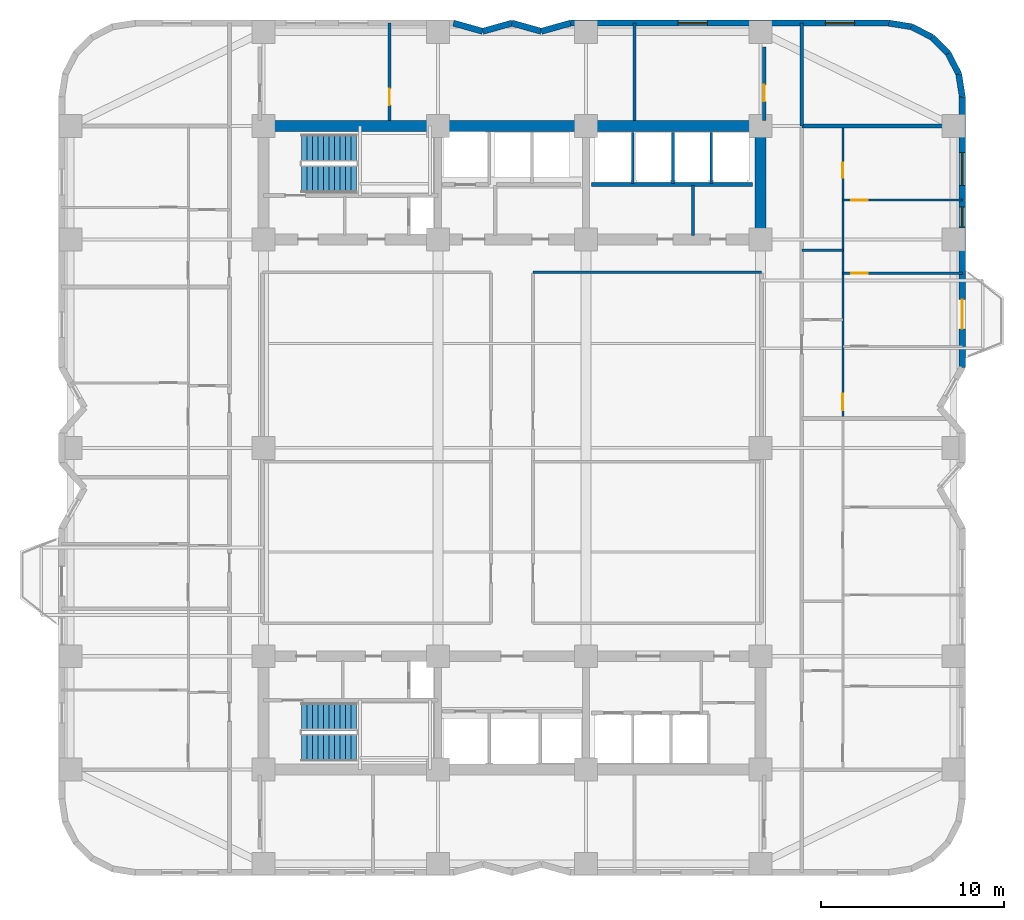
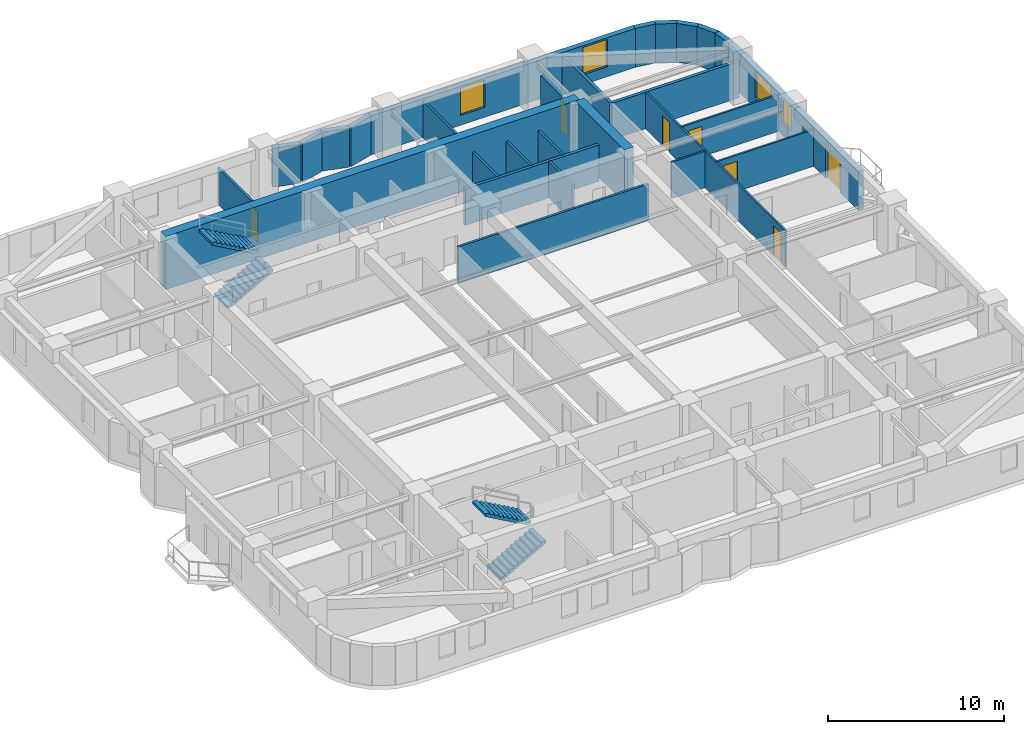
# One storey, part 7 of 9: 28 walls, 7 doors, 4 stair flights, 4 windows, 11 openings, 2 elements without a shape of their own.
"""IFC4 building model written with IfcOpenShell, lengths in metres."""

import ifcopenshell
import ifcopenshell.guid

model = None  # the IFC model being written
_history = None  # IfcOwnerHistory: only IFC2X3 demands one
_inside = {}  # id of a spatial element -> (the spatial element, [elements in it])
_under = {}  # id of a project, library or spatial element -> (it, [spatial elements below it])
_declared = {}  # id of a project -> (the project, [libraries it declares])
_typed = {}  # id of a type object -> (the type object, [elements of that type])
_made_of = {}  # id of a material, layer set ... -> (it, [elements and type objects made of it])


def new_model(schema):
    """Start an empty IFC model of exactly this schema.

    Asked for "IFC4X3", IfcOpenShell would pick the latest addendum, in which some entities
    have other attributes; the version numbers below select the first issue.
    IFC2X3 requires an IfcOwnerHistory on every rooted entity: one is made here for all.
    """
    global model, _history
    if schema == "IFC4X3":
        model = ifcopenshell.file(schema_version=(4, 3, 0, 0))
    else:
        model = ifcopenshell.file(schema=schema)
    _inside.clear()
    _under.clear()
    _declared.clear()
    _typed.clear()
    _made_of.clear()
    _history = None
    if model.schema == "IFC2X3":
        org = make("IfcOrganization", Name="unknown")
        user = make(
            "IfcPersonAndOrganization",
            ThePerson=make("IfcPerson", FamilyName="unknown"),
            TheOrganization=org,
        )
        app = make(
            "IfcApplication",
            ApplicationDeveloper=org,
            Version="unknown",
            ApplicationFullName="unknown",
            ApplicationIdentifier="unknown",
        )
        _history = make(
            "IfcOwnerHistory",
            OwningUser=user,
            OwningApplication=app,
            ChangeAction="ADDED",
            CreationDate=0,
        )
    return model


def make(cls, **values):
    """One entity of the class cls with the attributes given. An attribute that is None is left unset."""
    return model.create_entity(
        cls, **{name: value for name, value in values.items() if value is not None}
    )


def rooted(cls, **values):
    """An entity with a GlobalId (a new one), such as an element, a storey or a relation."""
    return make(cls, GlobalId=ifcopenshell.guid.new(), OwnerHistory=_history, **values)


def si_unit(unit_type, name, prefix=None):
    """IfcSIUnit, for example si_unit("LENGTHUNIT", "METRE", prefix="MILLI")."""
    return make("IfcSIUnit", UnitType=unit_type, Prefix=prefix, Name=name)


def assignment(units):
    """IfcUnitAssignment: the units of a project."""
    return None if units is None else make("IfcUnitAssignment", Units=units)


def point(xyz):
    """IfcCartesianPoint."""
    return None if xyz is None else make("IfcCartesianPoint", Coordinates=xyz)


def direction(xyz):
    """IfcDirection."""
    return None if xyz is None else make("IfcDirection", DirectionRatios=xyz)


def frame(location, z_axis=None, x_axis=None):
    """IfcAxis2Placement3D, a coordinate frame: its origin and axes. An axis left out is left unset."""
    return make(
        "IfcAxis2Placement3D",
        Location=point(location),
        Axis=direction(z_axis),
        RefDirection=direction(x_axis),
    )


def frame_2d(location, x_axis=None):
    """IfcAxis2Placement2D, a coordinate frame in the plane: its origin and x axis."""
    return make(
        "IfcAxis2Placement2D", Location=point(location), RefDirection=direction(x_axis)
    )


def origin():
    """The frame at (0, 0, 0) with its axes left unset."""
    return frame((0.0, 0.0, 0.0))


def place(relative_to, where):
    """IfcLocalPlacement: puts the frame where relative to a parent placement (None: the world)."""
    return make(
        "IfcLocalPlacement", PlacementRelTo=relative_to, RelativePlacement=where
    )


def context(
    kind, dimensions, precision=None, world=None, true_north=None, identifier=None
):
    """IfcGeometricRepresentationContext, for example the 3D "Model" context."""
    return make(
        "IfcGeometricRepresentationContext",
        ContextIdentifier=identifier,
        ContextType=kind,
        CoordinateSpaceDimension=dimensions,
        Precision=precision,
        WorldCoordinateSystem=world,
        TrueNorth=true_north,
    )


def subcontext(parent, identifier, kind, view, scale=None):
    """IfcGeometricRepresentationSubContext, for example "Body" below "Model"."""
    return make(
        "IfcGeometricRepresentationSubContext",
        ContextIdentifier=identifier,
        ContextType=kind,
        ParentContext=parent,
        TargetScale=scale,
        TargetView=view,
    )


def project(units=None, contexts=None):
    """IfcProject with its units and contexts."""
    return rooted(
        "IfcProject",
        Name="project",
        RepresentationContexts=contexts,
        UnitsInContext=assignment(units),
    )


def spatial(cls, under=None, at=None, **own):
    """A site, building, storey or space (cls), placed at a placement, below another one or the project."""
    s = rooted(cls, ObjectPlacement=at, **own)
    if under is not None:
        _under.setdefault(under.id(), (under, []))[1].append(s)
    return s


def polyline(points):
    """IfcPolyline through the points."""
    return make("IfcPolyline", Points=[point(p) for p in points])


def profile(cls, at=None, kind="AREA", **sizes):
    """A parametric profile (cls). Its sizes go by their IFC names, for example OverallWidth=200.0."""
    return make(cls, ProfileType=kind, Position=at, **sizes)


def rectangle(**sizes):
    """IfcRectangleProfileDef."""
    return profile("IfcRectangleProfileDef", **sizes)


def outline(outer, holes=None, kind="AREA"):
    """IfcArbitraryClosedProfileDef: a profile drawn as a closed curve; with holes, ...WithVoids."""
    if holes is None:
        return make("IfcArbitraryClosedProfileDef", ProfileType=kind, OuterCurve=outer)
    return make(
        "IfcArbitraryProfileDefWithVoids",
        ProfileType=kind,
        OuterCurve=outer,
        InnerCurves=holes,
    )


def extrude(swept, where, along, depth):
    """IfcExtrudedAreaSolid: the profile swept, set in the frame where, extruded along a direction by depth."""
    return make(
        "IfcExtrudedAreaSolid",
        SweptArea=swept,
        Position=where,
        ExtrudedDirection=direction(along),
        Depth=depth,
    )


def shape(context_of_items, identifier, shape_type, items):
    """IfcShapeRepresentation: the items that make up one representation, for example the "Body"."""
    return make(
        "IfcShapeRepresentation",
        ContextOfItems=context_of_items,
        RepresentationIdentifier=identifier,
        RepresentationType=shape_type,
        Items=items,
    )


def material(Name=None, Category=None):
    """IfcMaterial."""
    return make("IfcMaterial", Name=Name, Category=Category)


def layer(
    of_material, thickness, ventilated=None, Name=None, Category=None, Priority=None
):
    """IfcMaterialLayer: one layer of a wall or slab, of a material (None: an air gap)."""
    return make(
        "IfcMaterialLayer",
        Material=of_material,
        LayerThickness=thickness,
        IsVentilated=ventilated,
        Name=Name,
        Category=Category,
        Priority=Priority,
    )


def layer_set(layers, Name=None):
    """IfcMaterialLayerSet."""
    return make("IfcMaterialLayerSet", MaterialLayers=layers, LayerSetName=Name)


def made_of(thing, what):
    """Note that an element or type object is made of a material, layer set ...; save() writes the relation."""
    if what is not None:
        _made_of.setdefault(what.id(), (what, []))[1].append(thing)
    return thing


def type_object(cls, material=None, **own):
    """A type object (cls), such as IfcWallType, which elements share."""
    return made_of(rooted(cls, **own), material)


def element(
    cls,
    number,
    at=None,
    inside=None,
    cuts=None,
    type_object=None,
    material=None,
    context=None,
    identifier="Body",
    shape_type=None,
    held_by="IfcProductDefinitionShape",
    body=None,
    shapes=None,
    **own,
):
    """One element of the class cls, such as IfcWall. Its Tag is "e" and its number.

    at: its placement. inside: the storey or other place that contains it. cuts: it is an
    opening in that element (IfcRelVoidsElement). A single representation is given by context,
    identifier, shape_type and body (its items); several are given by shapes. held_by: the class
    of the entity that holds the representations. save() writes the other relations.
    """
    e = rooted(cls, Tag="e%d" % number, ObjectPlacement=at, **own)
    if body is not None:
        shapes = [shape(context, identifier, shape_type, body)]
    if shapes is not None:
        e.Representation = make(held_by, Representations=shapes)
    if inside is not None:
        _inside.setdefault(inside.id(), (inside, []))[1].append(e)
    if cuts is not None:
        rooted(
            "IfcRelVoidsElement", RelatingBuildingElement=cuts, RelatedOpeningElement=e
        )
    if type_object is not None:
        _typed.setdefault(type_object.id(), (type_object, []))[1].append(e)
    return made_of(e, material)


def fill(opening, filler):
    """IfcRelFillsElement: the door or window that sits in an opening."""
    return rooted(
        "IfcRelFillsElement",
        RelatingOpeningElement=opening,
        RelatedBuildingElement=filler,
    )


def aggregate(whole, parts):
    """IfcRelAggregates: a whole, such as a stair, and the parts it consists of."""
    return rooted("IfcRelAggregates", RelatingObject=whole, RelatedObjects=parts)


def save(model, path):
    """Write the relations noted so far, then the file.

    IfcRelAggregates (storeys below a building ...), IfcRelContainedInSpatialStructure (elements
    in a storey), IfcRelDefinesByType, IfcRelAssociatesMaterial and IfcRelDeclares: one each for
    every whole, place, type object, material and project.
    """
    for whole, parts in _under.values():
        aggregate(whole, parts)
    for where, things in _inside.values():
        rooted(
            "IfcRelContainedInSpatialStructure",
            RelatedElements=things,
            RelatingStructure=where,
        )
    for kind, things in _typed.values():
        rooted("IfcRelDefinesByType", RelatedObjects=things, RelatingType=kind)
    for what, things in _made_of.values():
        rooted("IfcRelAssociatesMaterial", RelatedObjects=things, RelatingMaterial=what)
    for by, libraries in _declared.values():
        rooted("IfcRelDeclares", RelatingContext=by, RelatedDefinitions=libraries)
    model.write(path)


model = new_model("IFC4")

# Units and contexts
model_context = context("Model", 3, precision=1e-05, world=origin(), true_north=direction((0.0, 1.0)))
body_context = subcontext(model_context, "Body", "Model", "MODEL_VIEW")
ifc_project = project(units=[si_unit("LENGTHUNIT", "METRE"), si_unit("AREAUNIT", "SQUARE_METRE"), si_unit("VOLUMEUNIT", "CUBIC_METRE"), si_unit("PLANEANGLEUNIT", "RADIAN"), si_unit("MASSUNIT", "GRAM", prefix="KILO")], contexts=[model_context])

# Site, building, storey
site_placement = place(None, origin())
site = spatial("IfcSite", under=ifc_project, at=site_placement, CompositionType="ELEMENT")
building_placement = place(site_placement, origin())
building = spatial("IfcBuilding", under=site, at=building_placement, Name="Svetorya Sky Lyceum", CompositionType="ELEMENT")
storey_placement = place(building_placement, frame((0.0, 0.0, 54.699951171875)))
storey = spatial("IfcBuildingStorey", under=building, at=storey_placement, Name="L13", CompositionType="ELEMENT", Elevation=54.699951171875)

# Walls
ifc_material_1 = material(Name="Concrete C60/75", Category="concrete")
ifc_layer_1 = layer(ifc_material_1, 0.60009765625)
ifc_layer_set_1 = layer_set([ifc_layer_1], Name="Concrete C60/75")
wall_type_1 = type_object("IfcWallType", Name="WL-CORE-600", PredefinedType="SHEAR", material=ifc_layer_set_1)
wall_1_placement = place(storey_placement, frame((25.60009765625, 45.800048828125, 0.0), z_axis=(0.0, 0.0, 1.0), x_axis=(1.0, 0.0, 0.0)))
element("IfcWall", 1, at=wall_1_placement, inside=storey, type_object=wall_type_1, Name="L13 NC Outer Core Shear Wall", PredefinedType="SHEAR", context=body_context, shape_type="SweptSolid", body=[
    extrude(rectangle(XDim=27.199951171875, YDim=0.60009765625, at=frame_2d((13.60009765625, 0.0))), origin(), (0.0, 0.0, 1.0), 3.699951171875),
])
wall_2_placement = place(storey_placement, frame((52.800048828125, 39.89990234375, 0.0), z_axis=(0.0, 0.0, 1.0), x_axis=(0.0, 1.0, 0.0)))
element("IfcWall", 2, at=wall_2_placement, inside=storey, type_object=wall_type_1, Name="L13 NC East Core Shear Wall", PredefinedType="SHEAR", context=body_context, shape_type="SweptSolid", body=[
    extrude(rectangle(XDim=5.60009765625, YDim=0.60009765625, at=frame_2d((2.800048828125, 0.0))), origin(), (0.0, 0.0, 1.0), 3.699951171875),
])

# Wall, openings, door, windows
ifc_material_2 = material(Name="Putilovo limestone rainscreen on autoclaved cellular masonry", Category="masonry")
ifc_layer_2 = layer(ifc_material_2, 0.340087890625)
ifc_layer_set_2 = layer_set([ifc_layer_2], Name="Putilovo limestone rainscreen on autoclaved cellular masonry")
wall_type_2 = type_object("IfcWallType", Name="WL-EXT-340", PredefinedType="SOLIDWALL", material=ifc_layer_set_2)
wall_3_placement = place(storey_placement, frame((63.830078125, 32.60009765625, 0.0), z_axis=(0.0, 0.0, 1.0), x_axis=(0.0, 1.0, 0.0)))
wall_3 = element("IfcWall", 3, at=wall_3_placement, inside=storey, type_object=wall_type_2, Name="L13 Limestone Exterior Wall 23M", PredefinedType="SOLIDWALL", context=body_context, shape_type="SweptSolid", body=[
    extrude(rectangle(XDim=14.7998046875, YDim=0.340087890625, at=frame_2d((7.39990234375, 0.0))), origin(), (0.0, 0.0, 1.0), 2.699951171875),
])
opening_1_placement = place(wall_3_placement, frame((2.10009765625, 0.0, 0.0)))
opening_1 = element("IfcOpeningElement", 4, at=opening_1_placement, cuts=wall_3, Name="Opening D-BL1", PredefinedType="OPENING", context=body_context, shape_type="SweptSolid", body=[
    extrude(rectangle(XDim=1.60009765625, YDim=2.10009765625, at=frame_2d((0.800048828125, 1.050048828125))), frame((0.0, 0.179931640625, 0.0), z_axis=(0.0, -1.0, 0.0), x_axis=(1.0, 0.0, 0.0)), (0.0, 0.0, 1.0), 0.360107421875),
])
opening_2_placement = place(wall_3_placement, frame((7.679931640625, 0.0, 0.889892578125)))
opening_2 = element("IfcOpeningElement", 5, at=opening_2_placement, cuts=wall_3, Name="Opening W-R3", PredefinedType="OPENING", context=body_context, shape_type="SweptSolid", body=[
    extrude(rectangle(XDim=1.10009765625, YDim=1.64990234375, at=frame_2d((0.550048828125, 0.824951171875))), frame((0.0, 0.179931640625, 0.0), z_axis=(0.0, -1.0, 0.0), x_axis=(1.0, 0.0, 0.0)), (0.0, 0.0, 1.0), 0.360107421875),
])
opening_3_placement = place(wall_3_placement, frame((9.949951171875, 0.0, 0.72998046875)))
opening_3 = element("IfcOpeningElement", 6, at=opening_3_placement, cuts=wall_3, Name="Opening W-R1", PredefinedType="OPENING", context=body_context, shape_type="SweptSolid", body=[
    extrude(rectangle(XDim=1.800048828125, YDim=1.85009765625, at=frame_2d((0.89990234375, 0.925048828125))), frame((0.0, 0.179931640625, 0.0), z_axis=(0.0, -1.0, 0.0), x_axis=(1.0, 0.0, 0.0)), (0.0, 0.0, 1.0), 0.360107421875),
])
ifc_material_3 = material(Name="Insulated glazed aluminium balcony door", Category="aluminium")
door_type_1 = type_object("IfcDoorType", Name="DR-BAL-1600", OperationType="DOUBLE_DOOR_SINGLE_SWING", PredefinedType="DOOR", material=ifc_material_3)
door_1_placement = place(opening_1_placement, origin())
door_1 = element("IfcDoor", 7, at=door_1_placement, inside=storey, type_object=door_type_1, Name="L13 Balcony BAL-E1 Door", OperationType="DOUBLE_DOOR_SINGLE_SWING", OverallHeight=2.10009765625, OverallWidth=1.60009765625, PredefinedType="DOOR", context=body_context, shape_type="SweptSolid", body=[
    extrude(rectangle(XDim=1.60009765625, YDim=2.10009765625, at=frame_2d((0.800048828125, 1.050048828125))), frame((0.0, 0.02490234375, 0.0), z_axis=(0.0, -1.0, 0.0), x_axis=(1.0, 0.0, 0.0)), (0.0, 0.0, 1.0), 0.050048828125),
])
fill(opening_1, door_1)
ifc_material_4 = material(Name="Thermally broken aluminium frame with triple low-E glazing", Category="aluminium")
window_type_1 = type_object("IfcWindowType", Name="WN-RES-110", PartitioningType="SINGLE_PANEL", PredefinedType="WINDOW", material=ifc_material_4)
window_1_placement = place(opening_2_placement, origin())
window_1 = element("IfcWindow", 8, at=window_1_placement, inside=storey, type_object=window_type_1, Name="L13 Facade Window W-R3.23M.2", OverallHeight=1.64990234375, OverallWidth=1.10009765625, PartitioningType="SINGLE_PANEL", PredefinedType="WINDOW", context=body_context, shape_type="SweptSolid", body=[
    extrude(rectangle(XDim=1.10009765625, YDim=1.64990234375, at=frame_2d((0.550048828125, 0.824951171875))), frame((0.0, 0.030029296875, 0.0), z_axis=(0.0, -1.0, 0.0), x_axis=(1.0, 0.0, 0.0)), (0.0, 0.0, 1.0), 0.06005859375),
])
fill(opening_2, window_1)
window_type_2 = type_object("IfcWindowType", Name="WN-RES-180", PartitioningType="DOUBLE_PANEL_VERTICAL", PredefinedType="WINDOW", material=ifc_material_4)
window_2_placement = place(opening_3_placement, origin())
window_2 = element("IfcWindow", 9, at=window_2_placement, inside=storey, type_object=window_type_2, Name="L13 Facade Window W-R1.23M.1", OverallHeight=1.85009765625, OverallWidth=1.800048828125, PartitioningType="SINGLE_PANEL", PredefinedType="WINDOW", context=body_context, shape_type="SweptSolid", body=[
    extrude(rectangle(XDim=1.800048828125, YDim=1.85009765625, at=frame_2d((0.89990234375, 0.925048828125))), frame((0.0, 0.030029296875, 0.0), z_axis=(0.0, -1.0, 0.0), x_axis=(1.0, 0.0, 0.0)), (0.0, 0.0, 1.0), 0.06005859375),
])
fill(opening_3, window_2)

# Walls
for number, where, z_axis, x_axis, name in (
    (10, (63.830078125, 47.39990234375, 0.0), (0.0, 0.0, 1.0), (-0.15644975923, 0.987685918112, 0.0), "L13 Limestone Exterior Wall 24M"),
    (11, (63.6328125, 48.645263671875, 0.0), (0.0, 0.0, 1.0), (-0.454015689056, 0.890993689142, 0.0), "L13 Limestone Exterior Wall 25M"),
    (12, (63.060302734375, 49.768798828125, 0.0), (0.0, 0.0, 1.0), (-0.707106781187, 0.707106781187, 0.0), "L13 Limestone Exterior Wall 26M"),
):
    element("IfcWall", number, at=place(storey_placement, frame(where, z_axis=z_axis, x_axis=x_axis)), inside=storey, type_object=wall_type_2, Name=name, PredefinedType="SOLIDWALL", context=body_context, shape_type="SweptSolid", body=[
        extrude(rectangle(XDim=1.260986328125, YDim=0.340087890625, at=frame_2d((0.63037109375, 0.0))), origin(), (0.0, 0.0, 1.0), 2.699951171875),
    ])
for number, where, z_axis, x_axis, name in (
    (13, (62.168701171875, 50.660400390625, 0.0), (0.0, 0.0, 1.0), (-0.890953769915, 0.454094020963, 0.0), "L13 Limestone Exterior Wall 27M"),
    (14, (61.04541015625, 51.23291015625, 0.0), (0.0, 0.0, 1.0), (-0.98771582066, 0.156260864002, 0.0), "L13 Limestone Exterior Wall 28M"),
):
    element("IfcWall", number, at=place(storey_placement, frame(where, z_axis=z_axis, x_axis=x_axis)), inside=storey, type_object=wall_type_2, Name=name, PredefinedType="SOLIDWALL", context=body_context, shape_type="SweptSolid", body=[
        extrude(rectangle(XDim=1.2607421875, YDim=0.340087890625, at=frame_2d((0.63037109375, 0.0))), origin(), (0.0, 0.0, 1.0), 2.699951171875),
    ])

# Wall, openings, windows
wall_4_placement = place(storey_placement, frame((59.800048828125, 51.429931640625, 0.0), z_axis=(0.0, 0.0, 1.0), x_axis=(-1.0, 0.0, 0.0)))
wall_4 = element("IfcWall", 15, at=wall_4_placement, inside=storey, type_object=wall_type_2, Name="L13 Limestone Exterior Wall 29M", PredefinedType="SOLIDWALL", context=body_context, shape_type="SweptSolid", body=[
    extrude(rectangle(XDim=17.400146484375, YDim=0.340087890625, at=frame_2d((8.7001953125, 0.0))), origin(), (0.0, 0.0, 1.0), 2.699951171875),
])
opening_4_placement = place(wall_4_placement, frame((1.862548828125, 0.0, 0.679931640625)))
opening_4 = element("IfcOpeningElement", 16, at=opening_4_placement, cuts=wall_4, Name="Opening W-R4", PredefinedType="OPENING", context=body_context, shape_type="SweptSolid", body=[
    extrude(rectangle(XDim=1.60009765625, YDim=1.89990234375, at=frame_2d((0.800048828125, 0.949951171875))), frame((0.0, 0.179931640625, 0.0), z_axis=(0.0, -1.0, 0.0), x_axis=(1.0, 0.0, 0.0)), (0.0, 0.0, 1.0), 0.360107421875),
])
opening_5_placement = place(wall_4_placement, frame((9.91259765625, 0.0, 0.679931640625)))
opening_5 = element("IfcOpeningElement", 17, at=opening_5_placement, cuts=wall_4, Name="Opening W-R4", PredefinedType="OPENING", context=body_context, shape_type="SweptSolid", body=[
    extrude(rectangle(XDim=1.60009765625, YDim=1.89990234375, at=frame_2d((0.800048828125, 0.949951171875))), frame((0.0, 0.179931640625, 0.0), z_axis=(0.0, -1.0, 0.0), x_axis=(1.0, 0.0, 0.0)), (0.0, 0.0, 1.0), 0.360107421875),
])
window_type_3 = type_object("IfcWindowType", Name="WN-RES-160", PartitioningType="DOUBLE_PANEL_VERTICAL", PredefinedType="WINDOW", material=ifc_material_4)
window_3_placement = place(opening_4_placement, origin())
window_3 = element("IfcWindow", 18, at=window_3_placement, inside=storey, type_object=window_type_3, Name="L13 Facade Window W-R4.29M.1", OverallHeight=1.89990234375, OverallWidth=1.60009765625, PartitioningType="SINGLE_PANEL", PredefinedType="WINDOW", context=body_context, shape_type="SweptSolid", body=[
    extrude(rectangle(XDim=1.60009765625, YDim=1.89990234375, at=frame_2d((0.800048828125, 0.949951171875))), frame((0.0, 0.030029296875, 0.0), z_axis=(0.0, -1.0, 0.0), x_axis=(1.0, 0.0, 0.0)), (0.0, 0.0, 1.0), 0.06005859375),
])
fill(opening_4, window_3)
window_4_placement = place(opening_5_placement, origin())
window_4 = element("IfcWindow", 19, at=window_4_placement, inside=storey, type_object=window_type_3, Name="L13 Facade Window W-R4.29M.2", OverallHeight=1.89990234375, OverallWidth=1.60009765625, PartitioningType="SINGLE_PANEL", PredefinedType="WINDOW", context=body_context, shape_type="SweptSolid", body=[
    extrude(rectangle(XDim=1.60009765625, YDim=1.89990234375, at=frame_2d((0.800048828125, 0.949951171875))), frame((0.0, 0.030029296875, 0.0), z_axis=(0.0, -1.0, 0.0), x_axis=(1.0, 0.0, 0.0)), (0.0, 0.0, 1.0), 0.06005859375),
])
fill(opening_5, window_4)

# Walls
wall_5_placement = place(storey_placement, frame((42.39990234375, 51.429931640625, 0.0), z_axis=(0.0, 0.0, 1.0), x_axis=(-0.962652136636, -0.270741322725, 0.0)))
element("IfcWall", 20, at=wall_5_placement, inside=storey, type_object=wall_type_2, Name="L13 Limestone Exterior Wall 30M", PredefinedType="SOLIDWALL", context=body_context, shape_type="SweptSolid", body=[
    extrude(rectangle(XDim=1.661865234375, YDim=0.340087890625, at=frame_2d((0.8310546875, 0.0))), origin(), (0.0, 0.0, 1.0), 2.699951171875),
])
wall_6_placement = place(storey_placement, frame((40.800048828125, 50.97998046875, 0.0), z_axis=(0.0, 0.0, 1.0), x_axis=(-0.962662902433, 0.270703040766, 0.0)))
element("IfcWall", 21, at=wall_6_placement, inside=storey, type_object=wall_type_2, Name="L13 Limestone Exterior Wall 31M", PredefinedType="SOLIDWALL", context=body_context, shape_type="SweptSolid", body=[
    extrude(rectangle(XDim=1.662109375, YDim=0.340087890625, at=frame_2d((0.8310546875, 0.0))), origin(), (0.0, 0.0, 1.0), 2.699951171875),
])
wall_7_placement = place(storey_placement, frame((39.199951171875, 51.429931640625, 0.0), z_axis=(0.0, 0.0, 1.0), x_axis=(-0.962652136636, -0.270741322725, 0.0)))
element("IfcWall", 22, at=wall_7_placement, inside=storey, type_object=wall_type_2, Name="L13 Limestone Exterior Wall 32M", PredefinedType="SOLIDWALL", context=body_context, shape_type="SweptSolid", body=[
    extrude(rectangle(XDim=1.661865234375, YDim=0.340087890625, at=frame_2d((0.8310546875, 0.0))), origin(), (0.0, 0.0, 1.0), 2.699951171875),
])
wall_8_placement = place(storey_placement, frame((37.60009765625, 50.97998046875, 0.0), z_axis=(0.0, 0.0, 1.0), x_axis=(-0.962662902433, 0.270703040766, 0.0)))
element("IfcWall", 23, at=wall_8_placement, inside=storey, type_object=wall_type_2, Name="L13 Limestone Exterior Wall 33M", PredefinedType="SOLIDWALL", context=body_context, shape_type="SweptSolid", body=[
    extrude(rectangle(XDim=1.662109375, YDim=0.340087890625, at=frame_2d((0.8310546875, 0.0))), origin(), (0.0, 0.0, 1.0), 2.699951171875),
])

# Wall, opening, door
ifc_material_5 = material(Name="Twin-stud galvanized framing with double fireboard", Category="gypsum")
ifc_layer_3 = layer(ifc_material_5, 0.1201171875)
ifc_layer_set_3 = layer_set([ifc_layer_3], Name="Twin-stud galvanized framing with double fireboard")
wall_type_3 = type_object("IfcWallType", Name="WL-PART-120", PredefinedType="PARTITIONING", material=ifc_layer_set_3)
wall_9_placement = place(storey_placement, frame((57.300048828125, 37.75, 0.0), z_axis=(0.0, 0.0, 1.0), x_axis=(1.0, 0.0, 0.0)))
wall_9 = element("IfcWall", 24, at=wall_9_placement, inside=storey, type_object=wall_type_3, Name="L13 Interior Partition E2-WL2", PredefinedType="PARTITIONING", context=body_context, shape_type="SweptSolid", body=[
    extrude(rectangle(XDim=6.530029296875, YDim=0.1201171875, at=frame_2d((3.26513671875, 0.0))), origin(), (0.0, 0.0, 1.0), 2.530029296875),
])
opening_6_placement = place(wall_9_placement, frame((0.449951171875, 0.0, 0.0)))
opening_6 = element("IfcOpeningElement", 25, at=opening_6_placement, cuts=wall_9, Name="Opening D-RM1", PredefinedType="OPENING", context=body_context, shape_type="SweptSolid", body=[
    extrude(rectangle(XDim=0.89990234375, YDim=2.10009765625, at=frame_2d((0.449951171875, 1.050048828125))), frame((0.0, 0.070068359375, 0.0), z_axis=(0.0, -1.0, 0.0), x_axis=(1.0, 0.0, 0.0)), (0.0, 0.0, 1.0), 0.14013671875),
])
ifc_material_6 = material(Name="Lacquered birch veneer internal door")
door_type_2 = type_object("IfcDoorType", Name="DR-INT-900", OperationType="SINGLE_SWING_LEFT", PredefinedType="DOOR", material=ifc_material_6)
door_2_placement = place(opening_6_placement, origin())
door_2 = element("IfcDoor", 26, at=door_2_placement, inside=storey, type_object=door_type_2, Name="Apartment E2 Bedroom 2 Door", OperationType="SINGLE_SWING_RIGHT", OverallHeight=2.10009765625, OverallWidth=0.89990234375, PredefinedType="DOOR", context=body_context, shape_type="SweptSolid", body=[
    extrude(rectangle(XDim=0.89990234375, YDim=2.10009765625, at=frame_2d((0.449951171875, 1.050048828125))), frame((0.0, 0.02490234375, 0.0), z_axis=(0.0, -1.0, 0.0), x_axis=(1.0, 0.0, 0.0)), (0.0, 0.0, 1.0), 0.050048828125),
])
fill(opening_6, door_2)

wall_10_placement = place(storey_placement, frame((57.300048828125, 41.75, 0.0), z_axis=(0.0, 0.0, 1.0), x_axis=(1.0, 0.0, 0.0)))
wall_10 = element("IfcWall", 27, at=wall_10_placement, inside=storey, type_object=wall_type_3, Name="L13 Interior Partition E2-WL3", PredefinedType="PARTITIONING", context=body_context, shape_type="SweptSolid", body=[
    extrude(rectangle(XDim=6.530029296875, YDim=0.1201171875, at=frame_2d((3.26513671875, 0.0))), origin(), (0.0, 0.0, 1.0), 2.530029296875),
])
opening_7_placement = place(wall_10_placement, frame((0.449951171875, 0.0, 0.0)))
opening_7 = element("IfcOpeningElement", 28, at=opening_7_placement, cuts=wall_10, Name="Opening D-RM1", PredefinedType="OPENING", context=body_context, shape_type="SweptSolid", body=[
    extrude(rectangle(XDim=0.89990234375, YDim=2.10009765625, at=frame_2d((0.449951171875, 1.050048828125))), frame((0.0, 0.070068359375, 0.0), z_axis=(0.0, -1.0, 0.0), x_axis=(1.0, 0.0, 0.0)), (0.0, 0.0, 1.0), 0.14013671875),
])
door_3_placement = place(opening_7_placement, origin())
door_3 = element("IfcDoor", 29, at=door_3_placement, inside=storey, type_object=door_type_2, Name="Apartment E2 Bedroom 3 Door", OperationType="SINGLE_SWING_LEFT", OverallHeight=2.10009765625, OverallWidth=0.89990234375, PredefinedType="DOOR", context=body_context, shape_type="SweptSolid", body=[
    extrude(rectangle(XDim=0.89990234375, YDim=2.10009765625, at=frame_2d((0.449951171875, 1.050048828125))), frame((0.0, 0.02490234375, 0.0), z_axis=(0.0, -1.0, 0.0), x_axis=(1.0, 0.0, 0.0)), (0.0, 0.0, 1.0), 0.050048828125),
])
fill(opening_7, door_3)

# Wall, openings, doors
wall_11_placement = place(storey_placement, frame((57.300048828125, 29.840087890625, 0.0), z_axis=(0.0, 0.0, 1.0), x_axis=(0.0, 1.0, 0.0)))
wall_11 = element("IfcWall", 30, at=wall_11_placement, inside=storey, type_object=wall_type_3, Name="L13 Interior Partition E2-WV", PredefinedType="PARTITIONING", context=body_context, shape_type="SweptSolid", body=[
    extrude(rectangle(XDim=15.919921875, YDim=0.1201171875, at=frame_2d((7.9599609375, 0.0))), origin(), (0.0, 0.0, 1.0), 2.530029296875),
])
opening_8_placement = place(wall_11_placement, frame((0.409912109375, 0.0, 0.0)))
opening_8 = element("IfcOpeningElement", 31, at=opening_8_placement, cuts=wall_11, Name="Opening D-RM1", PredefinedType="OPENING", context=body_context, shape_type="SweptSolid", body=[
    extrude(rectangle(XDim=0.89990234375, YDim=2.10009765625, at=frame_2d((0.449951171875, 1.050048828125))), frame((0.0, 0.070068359375, 0.0), z_axis=(0.0, -1.0, 0.0), x_axis=(1.0, 0.0, 0.0)), (0.0, 0.0, 1.0), 0.14013671875),
])
opening_9_placement = place(wall_11_placement, frame((13.125, 0.0, 0.0)))
opening_9 = element("IfcOpeningElement", 32, at=opening_9_placement, cuts=wall_11, Name="Opening D-BT2", PredefinedType="OPENING", context=body_context, shape_type="SweptSolid", body=[
    extrude(rectangle(XDim=0.820068359375, YDim=2.080078125, at=frame_2d((0.41015625, 1.0400390625))), frame((0.0, 0.070068359375, 0.0), z_axis=(0.0, -1.0, 0.0), x_axis=(1.0, 0.0, 0.0)), (0.0, 0.0, 1.0), 0.14013671875),
])
door_4_placement = place(opening_8_placement, origin())
door_4 = element("IfcDoor", 33, at=door_4_placement, inside=storey, type_object=door_type_2, Name="Apartment E2 Living Door", OperationType="SINGLE_SWING_RIGHT", OverallHeight=2.10009765625, OverallWidth=0.89990234375, PredefinedType="DOOR", context=body_context, shape_type="SweptSolid", body=[
    extrude(rectangle(XDim=0.89990234375, YDim=2.10009765625, at=frame_2d((0.449951171875, 1.050048828125))), frame((0.0, 0.02490234375, 0.0), z_axis=(0.0, -1.0, 0.0), x_axis=(1.0, 0.0, 0.0)), (0.0, 0.0, 1.0), 0.050048828125),
])
fill(opening_8, door_4)
ifc_material_7 = material(Name="Compact moisture-resistant laminate closet door")
door_type_3 = type_object("IfcDoorType", Name="DR-WET-820", OperationType="SINGLE_SWING_LEFT", PredefinedType="DOOR", material=ifc_material_7)
door_5_placement = place(opening_9_placement, origin())
door_5 = element("IfcDoor", 34, at=door_5_placement, inside=storey, type_object=door_type_3, Name="Apartment E2 Study Door", OperationType="SINGLE_SWING_LEFT", OverallHeight=2.080078125, OverallWidth=0.820068359375, PredefinedType="DOOR", context=body_context, shape_type="SweptSolid", body=[
    extrude(rectangle(XDim=0.820068359375, YDim=2.080078125, at=frame_2d((0.41015625, 1.0400390625))), frame((0.0, 0.02490234375, 0.0), z_axis=(0.0, -1.0, 0.0), x_axis=(1.0, 0.0, 0.0)), (0.0, 0.0, 1.0), 0.050048828125),
])
fill(opening_9, door_5)

# Walls
ifc_material_8 = material(Name="Twin-stud galvanized framing with acoustic board", Category="gypsum")
ifc_layer_4 = layer(ifc_material_8, 0.135009765625)
ifc_layer_set_4 = layer_set([ifc_layer_4], Name="Twin-stud galvanized framing with acoustic board")
wall_type_4 = type_object("IfcWallType", Name="WL-PART-135", PredefinedType="PARTITIONING", material=ifc_layer_set_4)
wall_12_placement = place(storey_placement, frame((55.050048828125, 39.0, 0.0), z_axis=(0.0, 0.0, 1.0), x_axis=(1.0, 0.0, 0.0)))
element("IfcWall", 35, at=wall_12_placement, inside=storey, type_object=wall_type_4, Name="L13 Interior Partition E2-WH2", PredefinedType="PARTITIONING", context=body_context, shape_type="SweptSolid", body=[
    extrude(rectangle(XDim=2.25, YDim=0.135009765625, at=frame_2d((1.125, 0.0))), origin(), (0.0, 0.0, 1.0), 2.530029296875),
])
ifc_material_9 = material(Name="Autoclaved cellular masonry blockwork with acoustic render", Category="masonry")
ifc_layer_5 = layer(ifc_material_9, 0.14990234375)
ifc_layer_set_5 = layer_set([ifc_layer_5], Name="Autoclaved cellular masonry blockwork with acoustic render")
wall_type_5 = type_object("IfcWallType", Name="WL-PART-150", PredefinedType="PARTITIONING", material=ifc_layer_set_5)
for number, where, z_axis, x_axis, name in (
    (36, (45.800048828125, 42.64990234375, 0.0), (0.0, 0.0, 1.0), (0.0, 1.0, 0.0), "L13 Interior Partition NC-PM3-D"),
    (37, (48.0, 42.64990234375, 0.0), (0.0, 0.0, 1.0), (0.0, 1.0, 0.0), "L13 Interior Partition NC-PH-D1"),
    (38, (50.10009765625, 42.64990234375, 0.0), (0.0, 0.0, 1.0), (0.0, 1.0, 0.0), "L13 Interior Partition NC-PH-D2"),
):
    element("IfcWall", number, at=place(storey_placement, frame(where, z_axis=z_axis, x_axis=x_axis)), inside=storey, type_object=wall_type_5, Name=name, PredefinedType="PARTITIONING", context=body_context, shape_type="SweptSolid", body=[
        extrude(rectangle(XDim=2.800048828125, YDim=0.14990234375, at=frame_2d((1.39990234375, 0.0))), origin(), (0.0, 0.0, 1.0), 2.530029296875),
    ])
wall_13_placement = place(storey_placement, frame((49.10009765625, 39.820068359375, 0.0), z_axis=(0.0, 0.0, 1.0), x_axis=(0.0, 1.0, 0.0)))
element("IfcWall", 39, at=wall_13_placement, inside=storey, type_object=wall_type_5, Name="L13 Interior Partition NC-EDH", PredefinedType="PARTITIONING", context=body_context, shape_type="SweptSolid", body=[
    extrude(rectangle(XDim=2.72998046875, YDim=0.14990234375, at=frame_2d((1.364990234375, 0.0))), origin(), (0.0, 0.0, 1.0), 2.530029296875),
])
wall_14_placement = place(storey_placement, frame((40.35009765625, 37.800048828125, 0.0), z_axis=(0.0, 0.0, 1.0), x_axis=(1.0, 0.0, 0.0)))
element("IfcWall", 40, at=wall_14_placement, inside=storey, type_object=wall_type_5, Name="L13 Interior Partition CN-MID-E", PredefinedType="PARTITIONING", context=body_context, shape_type="SweptSolid", body=[
    extrude(rectangle(XDim=12.5, YDim=0.14990234375, at=frame_2d((6.25, 0.0))), origin(), (0.0, 0.0, 1.0), 2.530029296875),
])

# Wall, opening, door
wall_15_placement = place(storey_placement, frame((32.5, 46.10009765625, 0.0), z_axis=(0.0, 0.0, 1.0), x_axis=(0.0, 1.0, 0.0)))
wall_15 = element("IfcWall", 41, at=wall_15_placement, inside=storey, type_object=wall_type_5, Name="L13 Interior Partition N-D1", PredefinedType="PARTITIONING", context=body_context, shape_type="SweptSolid", body=[
    extrude(rectangle(XDim=5.329833984375, YDim=0.14990234375, at=frame_2d((2.6650390625, 0.0))), origin(), (0.0, 0.0, 1.0), 2.530029296875),
])
opening_10_placement = place(wall_15_placement, frame((0.85009765625, 0.0, 0.0)))
opening_10 = element("IfcOpeningElement", 42, at=opening_10_placement, cuts=wall_15, Name="Opening D-RM1", PredefinedType="OPENING", context=body_context, shape_type="SweptSolid", body=[
    extrude(rectangle(XDim=0.89990234375, YDim=2.10009765625, at=frame_2d((0.449951171875, 1.050048828125))), frame((0.0, 0.0849609375, 0.0), z_axis=(0.0, -1.0, 0.0), x_axis=(1.0, 0.0, 0.0)), (0.0, 0.0, 1.0), 0.169921875),
])
door_6_placement = place(opening_10_placement, origin())
door_6 = element("IfcDoor", 43, at=door_6_placement, inside=storey, type_object=door_type_2, Name="L13 North Store Door", OperationType="SINGLE_SWING_RIGHT", OverallHeight=2.10009765625, OverallWidth=0.89990234375, PredefinedType="DOOR", context=body_context, shape_type="SweptSolid", body=[
    extrude(rectangle(XDim=0.89990234375, YDim=2.10009765625, at=frame_2d((0.449951171875, 1.050048828125))), frame((0.0, 0.02490234375, 0.0), z_axis=(0.0, -1.0, 0.0), x_axis=(1.0, 0.0, 0.0)), (0.0, 0.0, 1.0), 0.050048828125),
])
fill(opening_10, door_6)

# Walls
wall_16_placement = place(storey_placement, frame((45.89990234375, 46.10009765625, 0.0), z_axis=(0.0, 0.0, 1.0), x_axis=(0.0, 1.0, 0.0)))
element("IfcWall", 44, at=wall_16_placement, inside=storey, type_object=wall_type_5, Name="L13 Interior Partition N-D2", PredefinedType="PARTITIONING", context=body_context, shape_type="SweptSolid", body=[
    extrude(rectangle(XDim=5.329833984375, YDim=0.14990234375, at=frame_2d((2.6650390625, 0.0))), origin(), (0.0, 0.0, 1.0), 2.530029296875),
])
ifc_material_10 = material(Name="Autoclaved cellular masonry blockwork with gypsum plaster", Category="masonry")
ifc_layer_6 = layer(ifc_material_10, 0.199951171875)
ifc_layer_set_6 = layer_set([ifc_layer_6], Name="Autoclaved cellular masonry blockwork with gypsum plaster")
wall_type_6 = type_object("IfcWallType", Name="WL-PART-200", PredefinedType="PARTITIONING", material=ifc_layer_set_6)
wall_17_placement = place(storey_placement, frame((52.35009765625, 42.60009765625, 0.0), z_axis=(0.0, 0.0, 1.0), x_axis=(-1.0, 0.0, 0.0)))
element("IfcWall", 45, at=wall_17_placement, inside=storey, type_object=wall_type_6, Name="L13 Interior Partition NC-PHEW", PredefinedType="PARTITIONING", context=body_context, shape_type="SweptSolid", body=[
    extrude(rectangle(XDim=8.800048828125, YDim=0.199951171875, at=frame_2d((4.39990234375, 0.0))), origin(), (0.0, 0.0, 1.0), 2.530029296875),
])
wall_18_placement = place(storey_placement, frame((55.050048828125, 45.800048828125, 0.0), z_axis=(0.0, 0.0, 1.0), x_axis=(1.0, 0.0, 0.0)))
element("IfcWall", 46, at=wall_18_placement, inside=storey, type_object=wall_type_6, Name="L13 Interior Partition E-CAP-N", PredefinedType="PARTITIONING", context=body_context, shape_type="SweptSolid", body=[
    extrude(rectangle(XDim=8.35986328125, YDim=0.199951171875, at=frame_2d((4.179931640625, 0.0))), origin(), (0.0, 0.0, 1.0), 2.530029296875),
])
wall_19_placement = place(storey_placement, frame((55.050048828125, 45.800048828125, 0.0), z_axis=(0.0, 0.0, 1.0), x_axis=(0.0, 1.0, 0.0)))
element("IfcWall", 47, at=wall_19_placement, inside=storey, type_object=wall_type_6, Name="L13 Interior Partition EC-NE-END", PredefinedType="PARTITIONING", context=body_context, shape_type="SweptSolid", body=[
    extrude(rectangle(XDim=5.6298828125, YDim=0.199951171875, at=frame_2d((2.81494140625, 0.0))), origin(), (0.0, 0.0, 1.0), 2.530029296875),
])

# Wall, opening, door
wall_20_placement = place(storey_placement, frame((53.0, 46.10009765625, 0.0), z_axis=(0.0, 0.0, 1.0), x_axis=(0.0, 1.0, 0.0)))
wall_20 = element("IfcWall", 48, at=wall_20_placement, inside=storey, type_object=wall_type_6, Name="L13 Interior Partition N-EE", PredefinedType="PARTITIONING", context=body_context, shape_type="SweptSolid", body=[
    extrude(rectangle(XDim=4.02978515625, YDim=0.199951171875, at=frame_2d((2.014892578125, 0.0))), origin(), (0.0, 0.0, 1.0), 2.530029296875),
])
opening_11_placement = place(wall_20_placement, frame((1.050048828125, 0.0, 0.0)))
opening_11 = element("IfcOpeningElement", 49, at=opening_11_placement, cuts=wall_20, Name="Opening D-RM1", PredefinedType="OPENING", context=body_context, shape_type="SweptSolid", body=[
    extrude(rectangle(XDim=0.89990234375, YDim=2.10009765625, at=frame_2d((0.449951171875, 1.050048828125))), frame((0.0, 0.10986328125, 0.0), z_axis=(0.0, -1.0, 0.0), x_axis=(1.0, 0.0, 0.0)), (0.0, 0.0, 1.0), 0.219970703125),
])
door_7_placement = place(opening_11_placement, origin())
door_7 = element("IfcDoor", 50, at=door_7_placement, inside=storey, type_object=door_type_2, Name="L13 North Meeting Door", OperationType="SINGLE_SWING_LEFT", OverallHeight=2.10009765625, OverallWidth=0.89990234375, PredefinedType="DOOR", context=body_context, shape_type="SweptSolid", body=[
    extrude(rectangle(XDim=0.89990234375, YDim=2.10009765625, at=frame_2d((0.449951171875, 1.050048828125))), frame((0.0, 0.02490234375, 0.0), z_axis=(0.0, -1.0, 0.0), x_axis=(1.0, 0.0, 0.0)), (0.0, 0.0, 1.0), 0.050048828125),
])
fill(opening_11, door_7)

# Stair, stair flights
ifc_material_11 = material(Name="Concrete C40/50", Category="concrete")
stair_type_1 = type_object("IfcStairType", Name="STR-ST-N", PredefinedType="HALF_TURN_STAIR", material=ifc_material_11)
stair_1_placement = place(storey_placement, origin())
stair_1 = element("IfcStair", 51, at=stair_1_placement, inside=storey, type_object=stair_type_1, Name="L13 North Core Smoke-Free Exit Stair N3", PredefinedType="HALF_TURN_STAIR")
stair_flight_type_1 = type_object("IfcStairFlightType", Name="SFL-ST-N", PredefinedType="STRAIGHT", material=ifc_material_11)
stair_flight_1_placement = place(storey_placement, frame((27.699951171875, 42.89990234375, 0.0), z_axis=(0.0, 0.0, 1.0), x_axis=(1.0, 0.0, 0.0)))
stair_flight_1 = element("IfcStairFlight", 52, at=stair_flight_1_placement, type_object=stair_flight_type_1, Name="ST-N flight 1", NumberOfRisers=11, NumberOfTreads=10, PredefinedType="STRAIGHT", RiserHeight=0.168181818, TreadLength=0.3, context=body_context, shape_type="SweptSolid", body=[
    extrude(outline(polyline([(0.0, 0.0), (0.0, 0.168212890625), (0.300048828125, 0.168212890625), (0.300048828125, 0.33642578125), (0.60009765625, 0.33642578125), (0.60009765625, 0.504638671875), (0.89990234375, 0.504638671875), (0.89990234375, 0.672607421875), (1.199951171875, 0.672607421875), (1.199951171875, 0.8408203125), (1.5, 0.8408203125), (1.5, 1.009033203125), (1.800048828125, 1.009033203125), (1.800048828125, 1.17724609375), (2.10009765625, 1.17724609375), (2.10009765625, 1.345458984375), (2.39990234375, 1.345458984375), (2.39990234375, 1.513671875), (2.699951171875, 1.513671875), (2.699951171875, 1.681884765625), (3.0, 1.681884765625), (3.0, 1.85009765625), (3.0, 1.510009765625), (0.306640625, 0.0), (0.0, 0.0)])), frame((0.0, 0.75, 0.0), z_axis=(0.0, -1.0, 0.0), x_axis=(1.0, 0.0, 0.0)), (0.0, 0.0, 1.0), 1.5),
])
stair_flight_2_placement = place(storey_placement, frame((30.699951171875, 44.60009765625, 1.85009765625), z_axis=(0.0, 0.0, 1.0), x_axis=(-1.0, 0.0, 0.0)))
stair_flight_2 = element("IfcStairFlight", 53, at=stair_flight_2_placement, type_object=stair_flight_type_1, Name="ST-N flight 2", NumberOfRisers=11, NumberOfTreads=10, PredefinedType="STRAIGHT", RiserHeight=0.168181818, TreadLength=0.3, context=body_context, shape_type="SweptSolid", body=[
    extrude(outline(polyline([(0.0, 0.0), (0.0, 0.168212890625), (0.300048828125, 0.168212890625), (0.300048828125, 0.33642578125), (0.60009765625, 0.33642578125), (0.60009765625, 0.504638671875), (0.89990234375, 0.504638671875), (0.89990234375, 0.672607421875), (1.199951171875, 0.672607421875), (1.199951171875, 0.8408203125), (1.5, 0.8408203125), (1.5, 1.009033203125), (1.800048828125, 1.009033203125), (1.800048828125, 1.17724609375), (2.10009765625, 1.17724609375), (2.10009765625, 1.345458984375), (2.39990234375, 1.345458984375), (2.39990234375, 1.513671875), (2.699951171875, 1.513671875), (2.699951171875, 1.681884765625), (3.0, 1.681884765625), (3.0, 1.85009765625), (3.0, 1.510009765625), (0.306640625, 0.0), (0.0, 0.0)])), frame((0.0, 0.75, 0.0), z_axis=(0.0, -1.0, 0.0), x_axis=(1.0, 0.0, 0.0)), (0.0, 0.0, 1.0), 1.5),
])
aggregate(stair_1, [stair_flight_1, stair_flight_2])

stair_type_2 = type_object("IfcStairType", Name="STR-ST-S", PredefinedType="HALF_TURN_STAIR", material=ifc_material_11)
stair_2_placement = place(storey_placement, origin())
stair_2 = element("IfcStair", 54, at=stair_2_placement, inside=storey, type_object=stair_type_2, Name="L13 South Core Smoke-Free Exit Stair N2", PredefinedType="HALF_TURN_STAIR")
stair_flight_type_2 = type_object("IfcStairFlightType", Name="SFL-ST-S", PredefinedType="STRAIGHT", material=ifc_material_11)
stair_flight_3_placement = place(storey_placement, frame((27.699951171875, 11.800048828125, 0.0), z_axis=(0.0, 0.0, 1.0), x_axis=(1.0, 0.0, 0.0)))
stair_flight_3 = element("IfcStairFlight", 55, at=stair_flight_3_placement, type_object=stair_flight_type_2, Name="ST-S flight 1", NumberOfRisers=11, NumberOfTreads=10, PredefinedType="STRAIGHT", RiserHeight=0.168181818, TreadLength=0.3, context=body_context, shape_type="SweptSolid", body=[
    extrude(outline(polyline([(0.0, 0.0), (0.0, 0.168212890625), (0.300048828125, 0.168212890625), (0.300048828125, 0.33642578125), (0.60009765625, 0.33642578125), (0.60009765625, 0.504638671875), (0.89990234375, 0.504638671875), (0.89990234375, 0.672607421875), (1.199951171875, 0.672607421875), (1.199951171875, 0.8408203125), (1.5, 0.8408203125), (1.5, 1.009033203125), (1.800048828125, 1.009033203125), (1.800048828125, 1.17724609375), (2.10009765625, 1.17724609375), (2.10009765625, 1.345458984375), (2.39990234375, 1.345458984375), (2.39990234375, 1.513671875), (2.699951171875, 1.513671875), (2.699951171875, 1.681884765625), (3.0, 1.681884765625), (3.0, 1.85009765625), (3.0, 1.510009765625), (0.306640625, 0.0), (0.0, 0.0)])), frame((0.0, 0.75, 0.0), z_axis=(0.0, -1.0, 0.0), x_axis=(1.0, 0.0, 0.0)), (0.0, 0.0, 1.0), 1.5),
])
stair_flight_4_placement = place(storey_placement, frame((30.699951171875, 13.5, 1.85009765625), z_axis=(0.0, 0.0, 1.0), x_axis=(-1.0, 0.0, 0.0)))
stair_flight_4 = element("IfcStairFlight", 56, at=stair_flight_4_placement, type_object=stair_flight_type_2, Name="ST-S flight 2", NumberOfRisers=11, NumberOfTreads=10, PredefinedType="STRAIGHT", RiserHeight=0.168181818, TreadLength=0.3, context=body_context, shape_type="SweptSolid", body=[
    extrude(outline(polyline([(0.0, 0.0), (0.0, 0.168212890625), (0.300048828125, 0.168212890625), (0.300048828125, 0.33642578125), (0.60009765625, 0.33642578125), (0.60009765625, 0.504638671875), (0.89990234375, 0.504638671875), (0.89990234375, 0.672607421875), (1.199951171875, 0.672607421875), (1.199951171875, 0.8408203125), (1.5, 0.8408203125), (1.5, 1.009033203125), (1.800048828125, 1.009033203125), (1.800048828125, 1.17724609375), (2.10009765625, 1.17724609375), (2.10009765625, 1.345458984375), (2.39990234375, 1.345458984375), (2.39990234375, 1.513671875), (2.699951171875, 1.513671875), (2.699951171875, 1.681884765625), (3.0, 1.681884765625), (3.0, 1.85009765625), (3.0, 1.510009765625), (0.306640625, 0.0), (0.0, 0.0)])), frame((0.0, 0.75, 0.0), z_axis=(0.0, -1.0, 0.0), x_axis=(1.0, 0.0, 0.0)), (0.0, 0.0, 1.0), 1.5),
])
aggregate(stair_2, [stair_flight_3, stair_flight_4])

save(model, "model.ifc")
